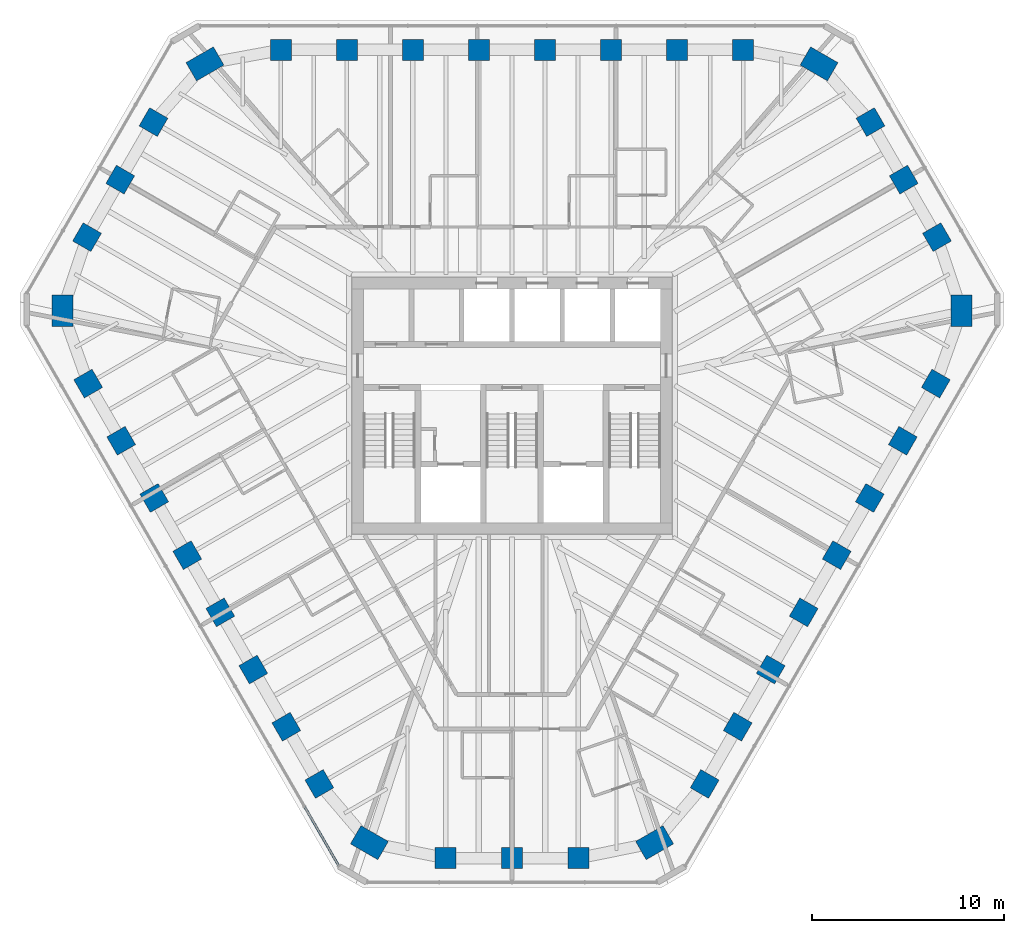
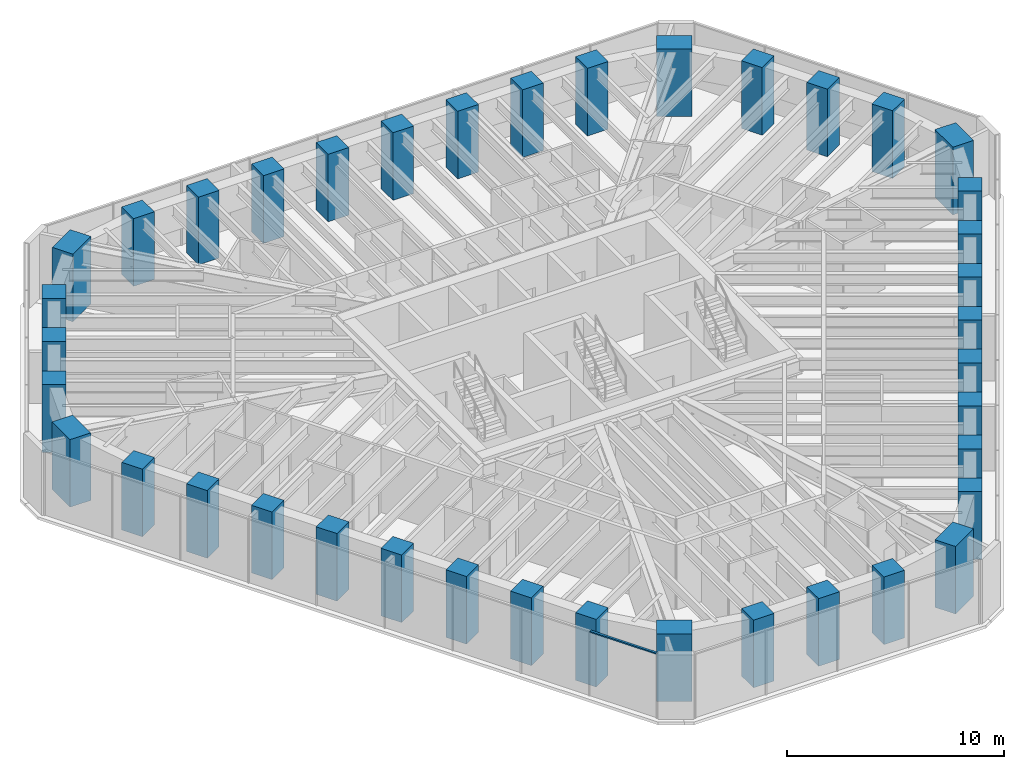
# One storey, part 1 of 14: 39 columns, 1 member, 1 element without a shape of its own.
"""IFC4 building model written with IfcOpenShell, lengths in metres."""

from ifc_helpers import new_model, si_unit, direction, frame, origin, origin_2d, place, context, subcontext, project, spatial, rectangle, extrude, material, material_profile, profile_set, type_object, element, aggregate, save


model = new_model("IFC4")

# Units and contexts
model_context = context("Model", 3, precision=1e-05, world=origin(), true_north=direction((0.0, 1.0)))
body_context = subcontext(model_context, "Body", "Model", "MODEL_VIEW")
ifc_project = project(units=[si_unit("LENGTHUNIT", "METRE"), si_unit("AREAUNIT", "SQUARE_METRE"), si_unit("VOLUMEUNIT", "CUBIC_METRE"), si_unit("PLANEANGLEUNIT", "RADIAN"), si_unit("MASSUNIT", "GRAM", prefix="KILO")], contexts=[model_context])

# Site, building, storey
site_placement = place(None, origin())
site = spatial("IfcSite", under=ifc_project, at=site_placement, CompositionType="ELEMENT")
building_placement = place(site_placement, origin())
building = spatial("IfcBuilding", under=site, at=building_placement, Name="Sandreach Pilgrim Tower", CompositionType="ELEMENT")
storey_placement = place(building_placement, frame((0.0, 0.0, 287.39990234375)))
storey = spatial("IfcBuildingStorey", under=building, at=storey_placement, Name="L72", CompositionType="ELEMENT", Elevation=287.39990234375)

# Columns
ifc_material_1 = material(Name="Concrete 10000 psi", Category="concrete")
ifc_material_profile_1 = material_profile(ifc_material_1, rectangle(XDim=1.10009765625, YDim=1.10009765625, at=origin_2d()), Name="RC1100X1100")
ifc_profile_set_1 = profile_set([ifc_material_profile_1], Name="Concrete 10000 psi")
column_type_1 = type_object("IfcColumnType", Name="Tube column RC1100X1100", PredefinedType="COLUMN", material=ifc_profile_set_1)
for number, where, z_axis, x_axis, name in (
    (1, (-12.0576171875, 18.56640625, 0.0), (0.0, 0.0, 1.0), (0.0, 1.0, 0.0), "COL L72 T01"),
    (2, (-8.612548828125, 18.56640625, 0.0), (0.0, 0.0, 1.0), (0.0, 1.0, 0.0), "COL L72 T02"),
    (3, (-5.16748046875, 18.56640625, 0.0), (0.0, 0.0, 1.0), (0.0, 1.0, 0.0), "COL L72 T03"),
    (4, (-1.722412109375, 18.56640625, 0.0), (0.0, 0.0, 1.0), (0.0, 1.0, 0.0), "COL L72 T04"),
    (5, (1.722412109375, 18.56640625, 0.0), (0.0, 0.0, 1.0), (0.0, 1.0, 0.0), "COL L72 T05"),
    (6, (5.16748046875, 18.56640625, 0.0), (0.0, 0.0, 1.0), (0.0, 1.0, 0.0), "COL L72 T06"),
    (7, (8.612548828125, 18.56640625, 0.0), (0.0, 0.0, 1.0), (0.0, 1.0, 0.0), "COL L72 T07"),
    (8, (12.0576171875, 18.56640625, 0.0), (0.0, 0.0, 1.0), (0.0, 1.0, 0.0), "COL L72 T08"),
    (9, (18.70361328125, 14.80029296875, 0.0), (0.0, 0.0, 1.0), (0.866025403784, 0.5, 0.0), "COL L72 T10"),
    (10, (20.4365234375, 11.799072265625, 0.0), (0.0, 0.0, 1.0), (0.866025403784, 0.5, 0.0), "COL L72 T11"),
    (11, (22.169189453125, 8.7978515625, 0.0), (0.0, 0.0, 1.0), (0.866025403784, 0.5, 0.0), "COL L72 T12"),
    (12, (22.10791015625, 1.158935546875, 0.0), (0.0, 0.0, 1.0), (0.866025403784, -0.5, 0.0), "COL L72 T14"),
    (13, (20.38525390625, -1.824462890625, 0.0), (0.0, 0.0, 1.0), (0.866025403784, -0.5, 0.0), "COL L72 T15"),
    (14, (18.662841796875, -4.80810546875, 0.0), (0.0, 0.0, 1.0), (0.866025403784, -0.5, 0.0), "COL L72 T16"),
    (15, (16.940185546875, -7.79150390625, 0.0), (0.0, 0.0, 1.0), (0.866025403784, -0.5, 0.0), "COL L72 T17"),
    (16, (15.2177734375, -10.77490234375, 0.0), (0.0, 0.0, 1.0), (0.866025403784, -0.5, 0.0), "COL L72 T18"),
    (17, (13.4951171875, -13.758544921875, 0.0), (0.0, 0.0, 1.0), (0.866025403784, -0.5, 0.0), "COL L72 T19"),
    (18, (11.772705078125, -16.741943359375, 0.0), (0.0, 0.0, 1.0), (0.866025403784, -0.5, 0.0), "COL L72 T20"),
    (19, (10.05029296875, -19.725341796875, 0.0), (0.0, 0.0, 1.0), (0.866025403784, -0.5, 0.0), "COL L72 T21"),
    (20, (3.465576171875, -23.59814453125, 0.0), (0.0, 0.0, 1.0), (0.0, -1.0, 0.0), "COL L72 T23"),
    (21, (0.0, -23.59814453125, 0.0), (0.0, 0.0, 1.0), (0.0, -1.0, 0.0), "COL L72 T24"),
    (22, (-3.465576171875, -23.59814453125, 0.0), (0.0, 0.0, 1.0), (0.0, -1.0, 0.0), "COL L72 T25"),
    (23, (-10.05029296875, -19.725341796875, 0.0), (0.0, 0.0, 1.0), (-0.866025403784, -0.5, 0.0), "COL L72 T27"),
    (24, (-11.772705078125, -16.741943359375, 0.0), (0.0, 0.0, 1.0), (-0.866025403784, -0.5, 0.0), "COL L72 T28"),
    (25, (-13.4951171875, -13.758544921875, 0.0), (0.0, 0.0, 1.0), (-0.866025403784, -0.5, 0.0), "COL L72 T29"),
    (26, (-15.2177734375, -10.77490234375, 0.0), (0.0, 0.0, 1.0), (-0.866025403784, -0.5, 0.0), "COL L72 T30"),
    (27, (-16.940185546875, -7.79150390625, 0.0), (0.0, 0.0, 1.0), (-0.866025403784, -0.5, 0.0), "COL L72 T31"),
    (28, (-18.662841796875, -4.80810546875, 0.0), (0.0, 0.0, 1.0), (-0.866025403784, -0.5, 0.0), "COL L72 T32"),
    (29, (-20.38525390625, -1.824462890625, 0.0), (0.0, 0.0, 1.0), (-0.866025403784, -0.5, 0.0), "COL L72 T33"),
    (30, (-22.10791015625, 1.158935546875, 0.0), (0.0, 0.0, 1.0), (-0.866025403784, -0.5, 0.0), "COL L72 T34"),
    (31, (-22.169189453125, 8.7978515625, 0.0), (0.0, 0.0, 1.0), (-0.866025403784, 0.5, 0.0), "COL L72 T36"),
    (32, (-20.4365234375, 11.799072265625, 0.0), (0.0, 0.0, 1.0), (-0.866025403784, 0.5, 0.0), "COL L72 T37"),
    (33, (-18.70361328125, 14.80029296875, 0.0), (0.0, 0.0, 1.0), (-0.866025403784, 0.5, 0.0), "COL L72 T38"),
):
    element("IfcColumn", number, at=place(storey_placement, frame(where, z_axis=z_axis, x_axis=x_axis)), inside=storey, type_object=column_type_1, Name=name, PredefinedType="COLUMN", context=body_context, shape_type="SweptSolid", body=[
        extrude(rectangle(XDim=1.10009765625, YDim=1.10009765625, at=origin_2d()), origin(), (0.0, 0.0, 1.0), 3.800048828125),
    ])
ifc_material_2 = material(Name="Concrete 10000 psi", Category="concrete")
ifc_material_profile_2 = material_profile(ifc_material_2, rectangle(XDim=1.10009765625, YDim=1.64990234375, at=origin_2d()), Name="RC1100X1650")
ifc_profile_set_2 = profile_set([ifc_material_profile_2], Name="Concrete 10000 psi")
column_type_2 = type_object("IfcColumnType", Name="Tube corner pier RC1100X1650", PredefinedType="COLUMN", material=ifc_profile_set_2)
for number, where, z_axis, x_axis, name in (
    (34, (16.0166015625, 17.837158203125, 0.0), (0.0, 0.0, 1.0), (0.5, 0.866025403784, 0.0), "COL L72 T09"),
    (35, (23.455810546875, 4.952392578125, 0.0), (0.0, 0.0, 1.0), (1.0, 0.0, 0.0), "COL L72 T13"),
    (36, (7.439208984375, -22.78955078125, 0.0), (0.0, 0.0, 1.0), (0.5, -0.866025403784, 0.0), "COL L72 T22"),
    (37, (-7.439208984375, -22.78955078125, 0.0), (0.0, 0.0, 1.0), (-0.5, -0.866025403784, 0.0), "COL L72 T26"),
    (38, (-23.455810546875, 4.952392578125, 0.0), (0.0, 0.0, 1.0), (-1.0, 0.0, 0.0), "COL L72 T35"),
    (39, (-16.0166015625, 17.837158203125, 0.0), (0.0, 0.0, 1.0), (-0.5, 0.866025403784, 0.0), "COL L72 T39"),
):
    element("IfcColumn", number, at=place(storey_placement, frame(where, z_axis=z_axis, x_axis=x_axis)), inside=storey, type_object=column_type_2, Name=name, PredefinedType="COLUMN", context=body_context, shape_type="SweptSolid", body=[
        extrude(rectangle(XDim=1.10009765625, YDim=1.64990234375, at=origin_2d()), origin(), (0.0, 0.0, 1.0), 3.800048828125),
    ])

# Curtain wall, member
ifc_material_3 = material(Name="Aluminium framed curtain wall", Category="aluminium")
curtain_wall_type = type_object("IfcCurtainWallType", Name="Suite tower curtain wall", PredefinedType="NOTDEFINED", material=ifc_material_3)
curtain_wall_placement = place(storey_placement, origin())
curtain_wall = element("IfcCurtainWall", 40, at=curtain_wall_placement, inside=storey, type_object=curtain_wall_type, Name="CW-4 L72 SW", PredefinedType="NOTDEFINED")
ifc_material_4 = material(Name="Aluminium extrusion", Category="aluminium")
ifc_material_profile_3 = material_profile(ifc_material_4, rectangle(XDim=0.1201171875, YDim=0.070068359375, at=origin_2d()), Name="CW-4T 120X70")
ifc_profile_set_3 = profile_set([ifc_material_profile_3], Name="Aluminium extrusion")
member_type = type_object("IfcMemberType", Name="CW-4 transom", PredefinedType="USERDEFINED", material=ifc_profile_set_3)
member_placement = place(storey_placement, frame((-9.051025390625, -23.97607421875, 3.60498046875), z_axis=(-0.499997709859, 0.866026725994, 0.0), x_axis=(-0.866026725994, -0.499997709859, 0.0)))
member = element("IfcMember", 41, at=member_placement, type_object=member_type, Name="CW-4 head transom 1", ObjectType="TRANSOM", PredefinedType="USERDEFINED", context=body_context, shape_type="SweptSolid", body=[
    extrude(rectangle(XDim=0.1201171875, YDim=0.070068359375, at=origin_2d()), origin(), (0.0, 0.0, 1.0), 3.53173828125),
])
aggregate(curtain_wall, [member])

save(model, "model.ifc")
